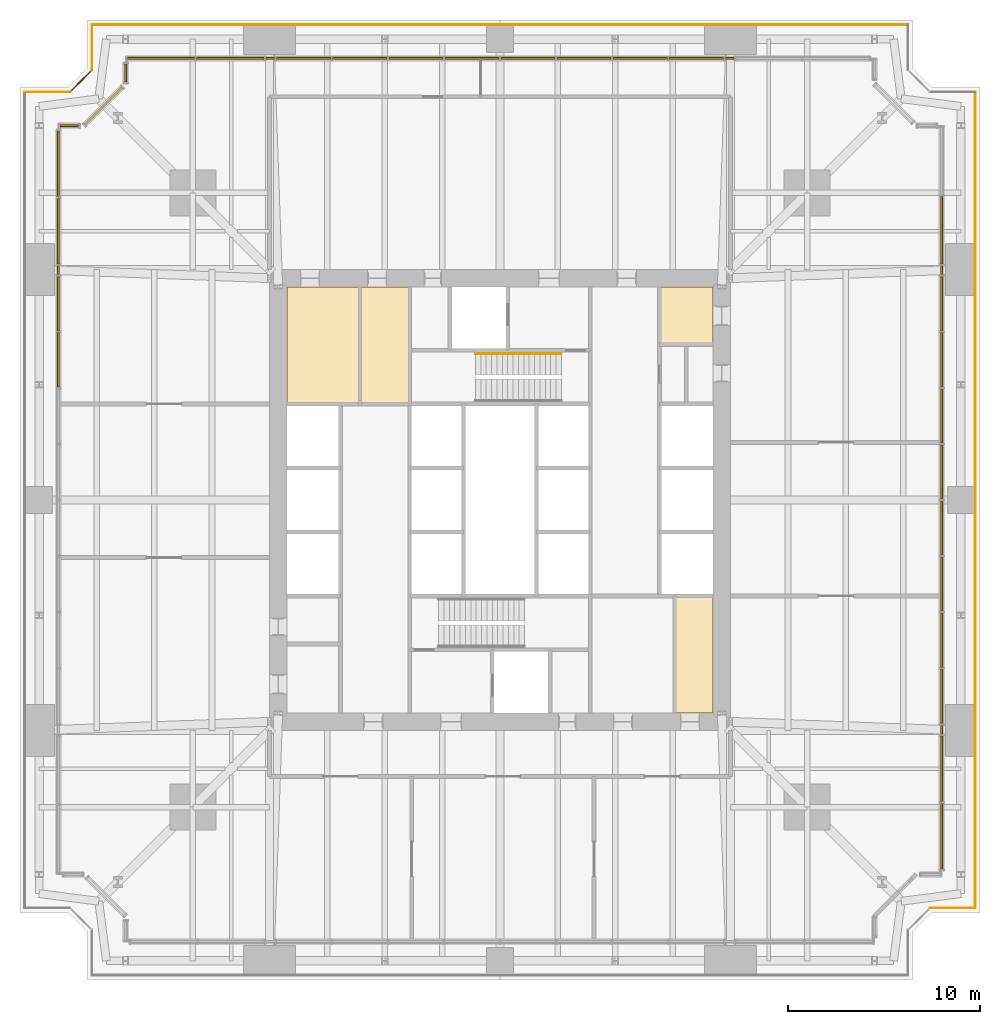
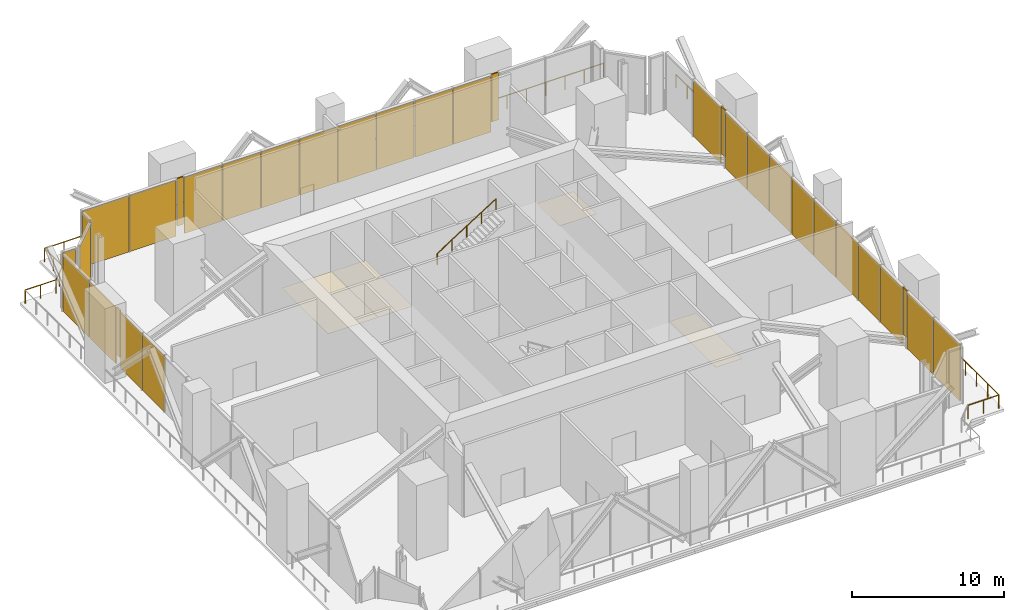
# One storey, part 12 of 13: 33 shading devices, 7 railings, 4 coverings, 10 elements without a shape of their own.
"""IFC4 building model written with IfcOpenShell, lengths in metres."""

from ifc_helpers import new_model, si_unit, direction, frame, origin, origin_2d, place, context, subcontext, project, spatial, polyline, rectangle, circle, outline, extrude, material, layer, layer_set, type_object, element, aggregate, save


model = new_model("IFC4")

# Units and contexts
model_context = context("Model", 3, precision=1e-05, world=origin(), true_north=direction((0.0, 1.0)))
body_context = subcontext(model_context, "Body", "Model", "MODEL_VIEW")
ifc_project = project(units=[si_unit("LENGTHUNIT", "METRE"), si_unit("AREAUNIT", "SQUARE_METRE"), si_unit("VOLUMEUNIT", "CUBIC_METRE"), si_unit("PLANEANGLEUNIT", "RADIAN"), si_unit("MASSUNIT", "GRAM", prefix="KILO")], contexts=[model_context])

# Site, building, storey
site_placement = place(None, origin())
site = spatial("IfcSite", under=ifc_project, at=site_placement, CompositionType="ELEMENT")
building_placement = place(site_placement, origin())
building = spatial("IfcBuilding", under=site, at=building_placement, Name="Fenwick Lantern Interchange", CompositionType="ELEMENT")
storey_placement = place(building_placement, frame((0.0, 0.0, 91.0)))
storey = spatial("IfcBuildingStorey", under=building, at=storey_placement, Name="L21", CompositionType="ELEMENT", Elevation=91.0)

# Railings
ifc_material_1 = material(Name="Stainless steel handrail", Category="steel")
railing_type_1 = type_object("IfcRailingType", Name="HANDRAIL 900", PredefinedType="HANDRAIL", material=ifc_material_1)
railing_1_placement = place(storey_placement, frame((23.719970703125, 32.6259765625, 3.176513671875)))
element("IfcRailing", 1, at=railing_1_placement, inside=storey, type_object=railing_type_1, Name="L21/STAIR/ST2/HR2", PredefinedType="HANDRAIL", context=body_context, shape_type="SweptSolid", body=[
    extrude(circle(Radius=0.02392578125, at=origin_2d()), frame((0.0, 0.0, 0.8759765625), z_axis=(0.845997938375, 0.0, 0.533186166611), x_axis=(0.0, 1.0, 0.0)), (0.0, 0.0, 1.0), 5.29541015625),
    extrude(circle(Radius=0.02099609375, at=origin_2d()), origin(), (0.0, 0.0, 1.0), 0.851806640625),
    extrude(circle(Radius=0.02099609375, at=origin_2d()), frame((1.1201171875, 0.0, 0.705810546875)), (0.0, 0.0, 1.0), 0.851806640625),
    extrude(circle(Radius=0.02099609375, at=origin_2d()), frame((2.239990234375, 0.0, 1.41162109375)), (0.0, 0.0, 1.0), 0.851806640625),
    extrude(circle(Radius=0.02099609375, at=origin_2d()), frame((3.35986328125, 0.0, 2.11767578125)), (0.0, 0.0, 1.0), 0.851806640625),
    extrude(circle(Radius=0.02099609375, at=origin_2d()), frame((4.47998046875, 0.0, 2.823486328125)), (0.0, 0.0, 1.0), 0.851806640625),
])
ifc_material_2 = material(Name="Galvanised steel guard", Category="steel")
railing_type_2 = type_object("IfcRailingType", Name="MAINTENANCE LEDGE GUARD 1100", PredefinedType="GUARDRAIL", material=ifc_material_2)
railing_2_placement = place(storey_placement, frame((47.396484375, 3.75, 0.0)))
element("IfcRailing", 2, at=railing_2_placement, inside=storey, type_object=railing_type_2, Name="L21/GR/LEDGE04", PredefinedType="GUARDRAIL", context=body_context, shape_type="SweptSolid", body=[
    extrude(circle(Radius=0.02392578125, at=origin_2d()), frame((0.0, 0.0, 1.076171875), z_axis=(1.0, 0.0, 0.0), x_axis=(0.0, 1.0, 0.0)), (0.0, 0.0, 1.0), 2.353515625),
    extrude(circle(Radius=0.02099609375, at=origin_2d()), origin(), (0.0, 0.0, 1.0), 1.052001953125),
    extrude(circle(Radius=0.02099609375, at=origin_2d()), frame((1.1767578125, 0.0, 0.0)), (0.0, 0.0, 1.0), 1.052001953125),
    extrude(circle(Radius=0.02099609375, at=origin_2d()), frame((2.353515625, 0.0, 0.0)), (0.0, 0.0, 1.0), 1.052001953125),
])
railing_3_placement = place(storey_placement, frame((49.75, 3.75, 0.0)))
element("IfcRailing", 3, at=railing_3_placement, inside=storey, type_object=railing_type_2, Name="L21/GR/LEDGE05", PredefinedType="GUARDRAIL", context=body_context, shape_type="SweptSolid", body=[
    extrude(circle(Radius=0.02392578125, at=origin_2d()), frame((0.0, 0.0, 1.076171875), z_axis=(0.0, 1.0, 0.0), x_axis=(-1.0, 0.0, 0.0)), (0.0, 0.0, 1.0), 42.5),
    extrude(circle(Radius=0.02099609375, at=origin_2d()), origin(), (0.0, 0.0, 1.0), 1.052001953125),
    extrude(circle(Radius=0.02099609375, at=origin_2d()), frame((0.0, 1.465576171875, 0.0)), (0.0, 0.0, 1.0), 1.052001953125),
    extrude(circle(Radius=0.02099609375, at=origin_2d()), frame((0.0, 2.93115234375, 0.0)), (0.0, 0.0, 1.0), 1.052001953125),
    extrude(circle(Radius=0.02099609375, at=origin_2d()), frame((0.0, 4.396484375, 0.0)), (0.0, 0.0, 1.0), 1.052001953125),
    extrude(circle(Radius=0.02099609375, at=origin_2d()), frame((0.0, 5.862060546875, 0.0)), (0.0, 0.0, 1.0), 1.052001953125),
    extrude(circle(Radius=0.02099609375, at=origin_2d()), frame((0.0, 7.32763671875, 0.0)), (0.0, 0.0, 1.0), 1.052001953125),
    extrude(circle(Radius=0.02099609375, at=origin_2d()), frame((0.0, 8.793212890625, 0.0)), (0.0, 0.0, 1.0), 1.052001953125),
    extrude(circle(Radius=0.02099609375, at=origin_2d()), frame((0.0, 10.258544921875, 0.0)), (0.0, 0.0, 1.0), 1.052001953125),
    extrude(circle(Radius=0.02099609375, at=origin_2d()), frame((0.0, 11.72412109375, 0.0)), (0.0, 0.0, 1.0), 1.052001953125),
    extrude(circle(Radius=0.02099609375, at=origin_2d()), frame((0.0, 13.189697265625, 0.0)), (0.0, 0.0, 1.0), 1.052001953125),
    extrude(circle(Radius=0.02099609375, at=origin_2d()), frame((0.0, 14.6552734375, 0.0)), (0.0, 0.0, 1.0), 1.052001953125),
    extrude(circle(Radius=0.02099609375, at=origin_2d()), frame((0.0, 16.12060546875, 0.0)), (0.0, 0.0, 1.0), 1.052001953125),
    extrude(circle(Radius=0.02099609375, at=origin_2d()), frame((0.0, 17.586181640625, 0.0)), (0.0, 0.0, 1.0), 1.052001953125),
    extrude(circle(Radius=0.02099609375, at=origin_2d()), frame((0.0, 19.0517578125, 0.0)), (0.0, 0.0, 1.0), 1.052001953125),
    extrude(circle(Radius=0.02099609375, at=origin_2d()), frame((0.0, 20.517333984375, 0.0)), (0.0, 0.0, 1.0), 1.052001953125),
    extrude(circle(Radius=0.02099609375, at=origin_2d()), frame((0.0, 21.982666015625, 0.0)), (0.0, 0.0, 1.0), 1.052001953125),
    extrude(circle(Radius=0.02099609375, at=origin_2d()), frame((0.0, 23.4482421875, 0.0)), (0.0, 0.0, 1.0), 1.052001953125),
    extrude(circle(Radius=0.02099609375, at=origin_2d()), frame((0.0, 24.913818359375, 0.0)), (0.0, 0.0, 1.0), 1.052001953125),
    extrude(circle(Radius=0.02099609375, at=origin_2d()), frame((0.0, 26.37939453125, 0.0)), (0.0, 0.0, 1.0), 1.052001953125),
    extrude(circle(Radius=0.02099609375, at=origin_2d()), frame((0.0, 27.8447265625, 0.0)), (0.0, 0.0, 1.0), 1.052001953125),
    extrude(circle(Radius=0.02099609375, at=origin_2d()), frame((0.0, 29.310302734375, 0.0)), (0.0, 0.0, 1.0), 1.052001953125),
    extrude(circle(Radius=0.02099609375, at=origin_2d()), frame((0.0, 30.77587890625, 0.0)), (0.0, 0.0, 1.0), 1.052001953125),
    extrude(circle(Radius=0.02099609375, at=origin_2d()), frame((0.0, 32.241455078125, 0.0)), (0.0, 0.0, 1.0), 1.052001953125),
    extrude(circle(Radius=0.02099609375, at=origin_2d()), frame((0.0, 33.706787109375, 0.0)), (0.0, 0.0, 1.0), 1.052001953125),
    extrude(circle(Radius=0.02099609375, at=origin_2d()), frame((0.0, 35.17236328125, 0.0)), (0.0, 0.0, 1.0), 1.052001953125),
    extrude(circle(Radius=0.02099609375, at=origin_2d()), frame((0.0, 36.637939453125, 0.0)), (0.0, 0.0, 1.0), 1.052001953125),
    extrude(circle(Radius=0.02099609375, at=origin_2d()), frame((0.0, 38.103515625, 0.0)), (0.0, 0.0, 1.0), 1.052001953125),
    extrude(circle(Radius=0.02099609375, at=origin_2d()), frame((0.0, 39.56884765625, 0.0)), (0.0, 0.0, 1.0), 1.052001953125),
    extrude(circle(Radius=0.02099609375, at=origin_2d()), frame((0.0, 41.034423828125, 0.0)), (0.0, 0.0, 1.0), 1.052001953125),
    extrude(circle(Radius=0.02099609375, at=origin_2d()), frame((0.0, 42.5, 0.0)), (0.0, 0.0, 1.0), 1.052001953125),
])
railing_4_placement = place(storey_placement, frame((46.25, 49.75, 0.0)))
element("IfcRailing", 4, at=railing_4_placement, inside=storey, type_object=railing_type_2, Name="L21/GR/LEDGE09", PredefinedType="GUARDRAIL", context=body_context, shape_type="SweptSolid", body=[
    extrude(circle(Radius=0.02392578125, at=origin_2d()), frame((0.0, 0.0, 1.076171875), z_axis=(-1.0, 0.0, 0.0), x_axis=(0.0, -1.0, 0.0)), (0.0, 0.0, 1.0), 42.5),
    extrude(circle(Radius=0.02099609375, at=origin_2d()), origin(), (0.0, 0.0, 1.0), 1.052001953125),
    extrude(circle(Radius=0.02099609375, at=origin_2d()), frame((-1.465576171875, 0.0, 0.0)), (0.0, 0.0, 1.0), 1.052001953125),
    extrude(circle(Radius=0.02099609375, at=origin_2d()), frame((-2.93115234375, 0.0, 0.0)), (0.0, 0.0, 1.0), 1.052001953125),
    extrude(circle(Radius=0.02099609375, at=origin_2d()), frame((-4.396484375, 0.0, 0.0)), (0.0, 0.0, 1.0), 1.052001953125),
    extrude(circle(Radius=0.02099609375, at=origin_2d()), frame((-5.862060546875, 0.0, 0.0)), (0.0, 0.0, 1.0), 1.052001953125),
    extrude(circle(Radius=0.02099609375, at=origin_2d()), frame((-7.32763671875, 0.0, 0.0)), (0.0, 0.0, 1.0), 1.052001953125),
    extrude(circle(Radius=0.02099609375, at=origin_2d()), frame((-8.793212890625, 0.0, 0.0)), (0.0, 0.0, 1.0), 1.052001953125),
    extrude(circle(Radius=0.02099609375, at=origin_2d()), frame((-10.258544921875, 0.0, 0.0)), (0.0, 0.0, 1.0), 1.052001953125),
    extrude(circle(Radius=0.02099609375, at=origin_2d()), frame((-11.72412109375, 0.0, 0.0)), (0.0, 0.0, 1.0), 1.052001953125),
    extrude(circle(Radius=0.02099609375, at=origin_2d()), frame((-13.189697265625, 0.0, 0.0)), (0.0, 0.0, 1.0), 1.052001953125),
    extrude(circle(Radius=0.02099609375, at=origin_2d()), frame((-14.6552734375, 0.0, 0.0)), (0.0, 0.0, 1.0), 1.052001953125),
    extrude(circle(Radius=0.02099609375, at=origin_2d()), frame((-16.12060546875, 0.0, 0.0)), (0.0, 0.0, 1.0), 1.052001953125),
    extrude(circle(Radius=0.02099609375, at=origin_2d()), frame((-17.586181640625, 0.0, 0.0)), (0.0, 0.0, 1.0), 1.052001953125),
    extrude(circle(Radius=0.02099609375, at=origin_2d()), frame((-19.0517578125, 0.0, 0.0)), (0.0, 0.0, 1.0), 1.052001953125),
    extrude(circle(Radius=0.02099609375, at=origin_2d()), frame((-20.517333984375, 0.0, 0.0)), (0.0, 0.0, 1.0), 1.052001953125),
    extrude(circle(Radius=0.02099609375, at=origin_2d()), frame((-21.982666015625, 0.0, 0.0)), (0.0, 0.0, 1.0), 1.052001953125),
    extrude(circle(Radius=0.02099609375, at=origin_2d()), frame((-23.4482421875, 0.0, 0.0)), (0.0, 0.0, 1.0), 1.052001953125),
    extrude(circle(Radius=0.02099609375, at=origin_2d()), frame((-24.913818359375, 0.0, 0.0)), (0.0, 0.0, 1.0), 1.052001953125),
    extrude(circle(Radius=0.02099609375, at=origin_2d()), frame((-26.37939453125, 0.0, 0.0)), (0.0, 0.0, 1.0), 1.052001953125),
    extrude(circle(Radius=0.02099609375, at=origin_2d()), frame((-27.8447265625, 0.0, 0.0)), (0.0, 0.0, 1.0), 1.052001953125),
    extrude(circle(Radius=0.02099609375, at=origin_2d()), frame((-29.310302734375, 0.0, 0.0)), (0.0, 0.0, 1.0), 1.052001953125),
    extrude(circle(Radius=0.02099609375, at=origin_2d()), frame((-30.77587890625, 0.0, 0.0)), (0.0, 0.0, 1.0), 1.052001953125),
    extrude(circle(Radius=0.02099609375, at=origin_2d()), frame((-32.241455078125, 0.0, 0.0)), (0.0, 0.0, 1.0), 1.052001953125),
    extrude(circle(Radius=0.02099609375, at=origin_2d()), frame((-33.706787109375, 0.0, 0.0)), (0.0, 0.0, 1.0), 1.052001953125),
    extrude(circle(Radius=0.02099609375, at=origin_2d()), frame((-35.17236328125, 0.0, 0.0)), (0.0, 0.0, 1.0), 1.052001953125),
    extrude(circle(Radius=0.02099609375, at=origin_2d()), frame((-36.637939453125, 0.0, 0.0)), (0.0, 0.0, 1.0), 1.052001953125),
    extrude(circle(Radius=0.02099609375, at=origin_2d()), frame((-38.103515625, 0.0, 0.0)), (0.0, 0.0, 1.0), 1.052001953125),
    extrude(circle(Radius=0.02099609375, at=origin_2d()), frame((-39.56884765625, 0.0, 0.0)), (0.0, 0.0, 1.0), 1.052001953125),
    extrude(circle(Radius=0.02099609375, at=origin_2d()), frame((-41.034423828125, 0.0, 0.0)), (0.0, 0.0, 1.0), 1.052001953125),
    extrude(circle(Radius=0.02099609375, at=origin_2d()), frame((-42.5, 0.0, 0.0)), (0.0, 0.0, 1.0), 1.052001953125),
])
railing_5_placement = place(storey_placement, frame((3.75, 49.75, 0.0)))
element("IfcRailing", 5, at=railing_5_placement, inside=storey, type_object=railing_type_2, Name="L21/GR/LEDGE10", PredefinedType="GUARDRAIL", context=body_context, shape_type="SweptSolid", body=[
    extrude(circle(Radius=0.02392578125, at=origin_2d()), frame((0.0, 0.0, 1.076171875), z_axis=(0.0, -1.0, 0.0), x_axis=(1.0, 0.0, 0.0)), (0.0, 0.0, 1.0), 2.353515625),
    extrude(circle(Radius=0.02099609375, at=origin_2d()), origin(), (0.0, 0.0, 1.0), 1.052001953125),
    extrude(circle(Radius=0.02099609375, at=origin_2d()), frame((0.0, -1.1767578125, 0.0)), (0.0, 0.0, 1.0), 1.052001953125),
    extrude(circle(Radius=0.02099609375, at=origin_2d()), frame((0.0, -2.353515625, 0.0)), (0.0, 0.0, 1.0), 1.052001953125),
])
railing_6_placement = place(storey_placement, frame((3.75, 47.396484375, 0.0)))
element("IfcRailing", 6, at=railing_6_placement, inside=storey, type_object=railing_type_2, Name="L21/GR/LEDGE11", PredefinedType="GUARDRAIL", context=body_context, shape_type="SweptSolid", body=[
    extrude(circle(Radius=0.02392578125, at=origin_2d()), frame((0.0, 0.0, 1.076171875), z_axis=(-0.707106781187, -0.707106781187, 0.0), x_axis=(0.707106781187, -0.707106781187, 0.0)), (0.0, 0.0, 1.0), 1.621337890625),
    extrude(circle(Radius=0.02099609375, at=origin_2d()), origin(), (0.0, 0.0, 1.0), 1.052001953125),
    extrude(circle(Radius=0.02099609375, at=origin_2d()), frame((-0.5732421875, -0.5732421875, 0.0)), (0.0, 0.0, 1.0), 1.052001953125),
    extrude(circle(Radius=0.02099609375, at=origin_2d()), frame((-1.146484375, -1.146484375, 0.0)), (0.0, 0.0, 1.0), 1.052001953125),
])
railing_7_placement = place(storey_placement, frame((2.603515625, 46.25, 0.0)))
element("IfcRailing", 7, at=railing_7_placement, inside=storey, type_object=railing_type_2, Name="L21/GR/LEDGE12", PredefinedType="GUARDRAIL", context=body_context, shape_type="SweptSolid", body=[
    extrude(circle(Radius=0.02392578125, at=origin_2d()), frame((0.0, 0.0, 1.076171875), z_axis=(-1.0, 0.0, 0.0), x_axis=(0.0, -1.0, 0.0)), (0.0, 0.0, 1.0), 2.353515625),
    extrude(circle(Radius=0.02099609375, at=origin_2d()), origin(), (0.0, 0.0, 1.0), 1.052001953125),
    extrude(circle(Radius=0.02099609375, at=origin_2d()), frame((-1.1767578125, 0.0, 0.0)), (0.0, 0.0, 1.0), 1.052001953125),
    extrude(circle(Radius=0.02099609375, at=origin_2d()), frame((-2.353515625, 0.0, 0.0)), (0.0, 0.0, 1.0), 1.052001953125),
])

# Coverings
ifc_material_3 = material(Name="Moisture resistant gypsum board on suspended frame, painted")
ifc_layer_1 = layer(ifc_material_3, 0.014892578125)
ifc_layer_set_1 = layer_set([ifc_layer_1], Name="MOISTURE RESISTANT CEILING 15")
covering_type = type_object("IfcCoveringType", Name="MOISTURE RESISTANT CEILING 15", PredefinedType="CEILING", material=ifc_layer_set_1)
covering_1_placement = place(storey_placement, frame((0.0, 0.0, 2.60009765625)))
element("IfcCovering", 8, at=covering_1_placement, inside=storey, type_object=covering_type, Name="Men's WC ceiling", PredefinedType="CEILING", context=body_context, shape_type="SweptSolid", body=[
    extrude(outline(polyline([(34.10009765625, 13.89990234375), (36.10009765625, 13.89990234375), (36.10009765625, 20.0), (34.10009765625, 20.0), (34.10009765625, 13.89990234375)])), origin(), (0.0, 0.0, 1.0), 0.014892578125),
])
covering_2_placement = place(storey_placement, frame((0.0, 0.0, 2.60009765625)))
element("IfcCovering", 9, at=covering_2_placement, inside=storey, type_object=covering_type, Name="Men's WC ceiling", PredefinedType="CEILING", context=body_context, shape_type="SweptSolid", body=[
    extrude(outline(polyline([(20.300048828125, 36.10009765625), (17.699951171875, 36.10009765625), (17.699951171875, 30.0), (20.300048828125, 30.0), (20.300048828125, 36.10009765625)])), origin(), (0.0, 0.0, 1.0), 0.014892578125),
])
covering_3_placement = place(storey_placement, frame((0.0, 0.0, 2.60009765625)))
element("IfcCovering", 10, at=covering_3_placement, inside=storey, type_object=covering_type, Name="Women's WC ceiling", PredefinedType="CEILING", context=body_context, shape_type="SweptSolid", body=[
    extrude(outline(polyline([(17.699951171875, 36.10009765625), (13.89990234375, 36.10009765625), (13.89990234375, 30.0), (17.699951171875, 30.0), (17.699951171875, 36.10009765625)])), origin(), (0.0, 0.0, 1.0), 0.014892578125),
])
covering_4_placement = place(storey_placement, frame((0.0, 0.0, 2.60009765625)))
element("IfcCovering", 11, at=covering_4_placement, inside=storey, type_object=covering_type, Name="Accessible WC ceiling", PredefinedType="CEILING", context=body_context, shape_type="SweptSolid", body=[
    extrude(outline(polyline([(36.10009765625, 36.10009765625), (33.300048828125, 36.10009765625), (33.300048828125, 33.10009765625), (36.10009765625, 33.10009765625), (36.10009765625, 36.10009765625)])), origin(), (0.0, 0.0, 1.0), 0.014892578125),
])

# Curtain wall, shading devices
ifc_material_4 = material(Name="Aluminium curtain wall frame", Category="aluminium")
curtain_wall_type = type_object("IfcCurtainWallType", Name="PLANT LOUVRE SCREEN", PredefinedType="USERDEFINED", material=ifc_material_4)
curtain_wall_1_placement = place(storey_placement, origin())
curtain_wall_1 = element("IfcCurtainWall", 12, at=curtain_wall_1_placement, inside=storey, type_object=curtain_wall_type, Name="Plant louvre screen 04A", ObjectType="PLANT LOUVRE SCREEN", PredefinedType="USERDEFINED")
ifc_material_5 = material(Name="Louvre panel, anodised aluminium blades", Category="aluminium")
ifc_layer_2 = layer(ifc_material_5, 0.10009765625)
ifc_layer_set_2 = layer_set([ifc_layer_2], Name="PLANT LOUVRE SCREEN PANEL 100")
shading_device_type = type_object("IfcShadingDeviceType", Name="PLANT LOUVRE SCREEN PANEL 100", PredefinedType="SHUTTER", material=ifc_layer_set_2)
shading_device_1_placement = place(storey_placement, frame((48.0, 7.49267578125, 0.0), z_axis=(0.0, 0.0, 1.0), x_axis=(0.0, 1.0, 0.0)))
shading_device_1 = element("IfcShadingDevice", 13, at=shading_device_1_placement, type_object=shading_device_type, Name="L21/CW/04A/P00", PredefinedType="SHUTTER", context=body_context, shape_type="SweptSolid", body=[
    extrude(rectangle(XDim=3.43505859375, YDim=0.10009765625, at=origin_2d()), origin(), (0.0, 0.0, 1.0), 4.47998046875),
])
shading_device_2_placement = place(storey_placement, frame((48.0, 11.002685546875, 0.0), z_axis=(0.0, 0.0, 1.0), x_axis=(0.0, 1.0, 0.0)))
shading_device_2 = element("IfcShadingDevice", 14, at=shading_device_2_placement, type_object=shading_device_type, Name="L21/CW/04A/P01", PredefinedType="SHUTTER", context=body_context, shape_type="SweptSolid", body=[
    extrude(rectangle(XDim=3.43505859375, YDim=0.10009765625, at=origin_2d()), origin(), (0.0, 0.0, 1.0), 4.47998046875),
])
aggregate(curtain_wall_1, [shading_device_1, shading_device_2])

curtain_wall_2_placement = place(storey_placement, origin())
curtain_wall_2 = element("IfcCurtainWall", 15, at=curtain_wall_2_placement, inside=storey, type_object=curtain_wall_type, Name="Plant louvre screen 04B", ObjectType="PLANT LOUVRE SCREEN", PredefinedType="USERDEFINED")
shading_device_3_placement = place(storey_placement, frame((48.0, 14.777587890625, 0.0), z_axis=(0.0, 0.0, 1.0), x_axis=(0.0, 1.0, 0.0)))
shading_device_3 = element("IfcShadingDevice", 16, at=shading_device_3_placement, type_object=shading_device_type, Name="L21/CW/04B/P00", PredefinedType="SHUTTER", context=body_context, shape_type="SweptSolid", body=[
    extrude(rectangle(XDim=2.845703125, YDim=0.10009765625, at=origin_2d()), origin(), (0.0, 0.0, 1.0), 4.47998046875),
])
shading_device_4_placement = place(storey_placement, frame((48.0, 17.6982421875, 0.0), z_axis=(0.0, 0.0, 1.0), x_axis=(0.0, 1.0, 0.0)))
shading_device_4 = element("IfcShadingDevice", 17, at=shading_device_4_placement, type_object=shading_device_type, Name="L21/CW/04B/P01", PredefinedType="SHUTTER", context=body_context, shape_type="SweptSolid", body=[
    extrude(rectangle(XDim=2.845703125, YDim=0.10009765625, at=origin_2d()), origin(), (0.0, 0.0, 1.0), 4.47998046875),
])
shading_device_5_placement = place(storey_placement, frame((48.0, 20.618896484375, 0.0), z_axis=(0.0, 0.0, 1.0), x_axis=(0.0, 1.0, 0.0)))
shading_device_5 = element("IfcShadingDevice", 18, at=shading_device_5_placement, type_object=shading_device_type, Name="L21/CW/04B/P02", PredefinedType="SHUTTER", context=body_context, shape_type="SweptSolid", body=[
    extrude(rectangle(XDim=2.845703125, YDim=0.10009765625, at=origin_2d()), origin(), (0.0, 0.0, 1.0), 4.47998046875),
])
shading_device_6_placement = place(storey_placement, frame((48.0, 23.53955078125, 0.0), z_axis=(0.0, 0.0, 1.0), x_axis=(0.0, 1.0, 0.0)))
shading_device_6 = element("IfcShadingDevice", 19, at=shading_device_6_placement, type_object=shading_device_type, Name="L21/CW/04B/P03", PredefinedType="SHUTTER", context=body_context, shape_type="SweptSolid", body=[
    extrude(rectangle(XDim=2.845703125, YDim=0.10009765625, at=origin_2d()), origin(), (0.0, 0.0, 1.0), 4.47998046875),
])
shading_device_7_placement = place(storey_placement, frame((48.0, 26.46044921875, 0.0), z_axis=(0.0, 0.0, 1.0), x_axis=(0.0, 1.0, 0.0)))
shading_device_7 = element("IfcShadingDevice", 20, at=shading_device_7_placement, type_object=shading_device_type, Name="L21/CW/04B/P04", PredefinedType="SHUTTER", context=body_context, shape_type="SweptSolid", body=[
    extrude(rectangle(XDim=2.845703125, YDim=0.10009765625, at=origin_2d()), origin(), (0.0, 0.0, 1.0), 4.47998046875),
])
shading_device_8_placement = place(storey_placement, frame((48.0, 29.381103515625, 0.0), z_axis=(0.0, 0.0, 1.0), x_axis=(0.0, 1.0, 0.0)))
shading_device_8 = element("IfcShadingDevice", 21, at=shading_device_8_placement, type_object=shading_device_type, Name="L21/CW/04B/P05", PredefinedType="SHUTTER", context=body_context, shape_type="SweptSolid", body=[
    extrude(rectangle(XDim=2.845703125, YDim=0.10009765625, at=origin_2d()), origin(), (0.0, 0.0, 1.0), 4.47998046875),
])
shading_device_9_placement = place(storey_placement, frame((48.0, 32.3017578125, 0.0), z_axis=(0.0, 0.0, 1.0), x_axis=(0.0, 1.0, 0.0)))
shading_device_9 = element("IfcShadingDevice", 22, at=shading_device_9_placement, type_object=shading_device_type, Name="L21/CW/04B/P06", PredefinedType="SHUTTER", context=body_context, shape_type="SweptSolid", body=[
    extrude(rectangle(XDim=2.845703125, YDim=0.10009765625, at=origin_2d()), origin(), (0.0, 0.0, 1.0), 4.47998046875),
])
shading_device_10_placement = place(storey_placement, frame((48.0, 35.222412109375, 0.0), z_axis=(0.0, 0.0, 1.0), x_axis=(0.0, 1.0, 0.0)))
shading_device_10 = element("IfcShadingDevice", 23, at=shading_device_10_placement, type_object=shading_device_type, Name="L21/CW/04B/P07", PredefinedType="SHUTTER", context=body_context, shape_type="SweptSolid", body=[
    extrude(rectangle(XDim=2.845703125, YDim=0.10009765625, at=origin_2d()), origin(), (0.0, 0.0, 1.0), 4.47998046875),
])
aggregate(curtain_wall_2, [shading_device_3, shading_device_4, shading_device_5, shading_device_6, shading_device_7, shading_device_8, shading_device_9, shading_device_10])

# Curtain wall, shading device
curtain_wall_3_placement = place(storey_placement, origin())
curtain_wall_3 = element("IfcCurtainWall", 24, at=curtain_wall_3_placement, inside=storey, type_object=curtain_wall_type, Name="Plant louvre screen 04C", ObjectType="PLANT LOUVRE SCREEN", PredefinedType="USERDEFINED")
shading_device_11_placement = place(storey_placement, frame((48.0, 39.04736328125, 0.0), z_axis=(0.0, 0.0, 1.0), x_axis=(0.0, 1.0, 0.0)))
shading_device_11 = element("IfcShadingDevice", 25, at=shading_device_11_placement, type_object=shading_device_type, Name="L21/CW/04C/P00", PredefinedType="SHUTTER", context=body_context, shape_type="SweptSolid", body=[
    extrude(rectangle(XDim=3.53515625, YDim=0.10009765625, at=origin_2d()), origin(), (0.0, 0.0, 1.0), 4.47998046875),
])
aggregate(curtain_wall_3, [shading_device_11])

# Shading devices
for number, where, z_axis, x_axis, name in (
    (26, (48.0, 13.03759765625, 0.82421875), (0.0, 0.0, 1.0), (0.0, 1.0, 0.0), "Louvre screen infill 04-1"),
    (27, (48.0, 36.96240234375, 0.82421875), (0.0, 0.0, 1.0), (0.0, 1.0, 0.0), "Louvre screen infill 04-2"),
):
    element("IfcShadingDevice", number, at=place(storey_placement, frame(where, z_axis=z_axis, x_axis=x_axis)), inside=storey, type_object=shading_device_type, Name=name, PredefinedType="SHUTTER", context=body_context, shape_type="SweptSolid", body=[
        extrude(rectangle(XDim=0.484375, YDim=0.10009765625, at=origin_2d()), origin(), (0.0, 0.0, 1.0), 3.775634765625),
    ])

# Curtain wall, shading devices
curtain_wall_4_placement = place(storey_placement, origin())
curtain_wall_4 = element("IfcCurtainWall", 28, at=curtain_wall_4_placement, inside=storey, type_object=curtain_wall_type, Name="Plant louvre screen 08B", ObjectType="PLANT LOUVRE SCREEN", PredefinedType="USERDEFINED")
shading_device_12_placement = place(storey_placement, frame((35.22509765625, 48.0, 0.0), z_axis=(0.0, 0.0, 1.0), x_axis=(-1.0, 0.0, 0.0)))
shading_device_12 = element("IfcShadingDevice", 29, at=shading_device_12_placement, type_object=shading_device_type, Name="L21/CW/08B/P00", PredefinedType="SHUTTER", context=body_context, shape_type="SweptSolid", body=[
    extrude(rectangle(XDim=2.846435546875, YDim=0.10009765625, at=origin_2d()), origin(), (0.0, 0.0, 1.0), 4.47998046875),
])
shading_device_13_placement = place(storey_placement, frame((32.3037109375, 48.0, 0.0), z_axis=(0.0, 0.0, 1.0), x_axis=(-1.0, 0.0, 0.0)))
shading_device_13 = element("IfcShadingDevice", 30, at=shading_device_13_placement, type_object=shading_device_type, Name="L21/CW/08B/P01", PredefinedType="SHUTTER", context=body_context, shape_type="SweptSolid", body=[
    extrude(rectangle(XDim=2.846435546875, YDim=0.10009765625, at=origin_2d()), origin(), (0.0, 0.0, 1.0), 4.47998046875),
])
shading_device_14_placement = place(storey_placement, frame((29.382080078125, 48.0, 0.0), z_axis=(0.0, 0.0, 1.0), x_axis=(-1.0, 0.0, 0.0)))
shading_device_14 = element("IfcShadingDevice", 31, at=shading_device_14_placement, type_object=shading_device_type, Name="L21/CW/08B/P02", PredefinedType="SHUTTER", context=body_context, shape_type="SweptSolid", body=[
    extrude(rectangle(XDim=2.846435546875, YDim=0.10009765625, at=origin_2d()), origin(), (0.0, 0.0, 1.0), 4.47998046875),
])
shading_device_15_placement = place(storey_placement, frame((26.460693359375, 48.0, 0.0), z_axis=(0.0, 0.0, 1.0), x_axis=(-1.0, 0.0, 0.0)))
shading_device_15 = element("IfcShadingDevice", 32, at=shading_device_15_placement, type_object=shading_device_type, Name="L21/CW/08B/P03", PredefinedType="SHUTTER", context=body_context, shape_type="SweptSolid", body=[
    extrude(rectangle(XDim=2.846435546875, YDim=0.10009765625, at=origin_2d()), origin(), (0.0, 0.0, 1.0), 4.47998046875),
])
shading_device_16_placement = place(storey_placement, frame((23.539306640625, 48.0, 0.0), z_axis=(0.0, 0.0, 1.0), x_axis=(-1.0, 0.0, 0.0)))
shading_device_16 = element("IfcShadingDevice", 33, at=shading_device_16_placement, type_object=shading_device_type, Name="L21/CW/08B/P04", PredefinedType="SHUTTER", context=body_context, shape_type="SweptSolid", body=[
    extrude(rectangle(XDim=2.846435546875, YDim=0.10009765625, at=origin_2d()), origin(), (0.0, 0.0, 1.0), 4.47998046875),
])
shading_device_17_placement = place(storey_placement, frame((20.617919921875, 48.0, 0.0), z_axis=(0.0, 0.0, 1.0), x_axis=(-1.0, 0.0, 0.0)))
shading_device_17 = element("IfcShadingDevice", 34, at=shading_device_17_placement, type_object=shading_device_type, Name="L21/CW/08B/P05", PredefinedType="SHUTTER", context=body_context, shape_type="SweptSolid", body=[
    extrude(rectangle(XDim=2.846435546875, YDim=0.10009765625, at=origin_2d()), origin(), (0.0, 0.0, 1.0), 4.47998046875),
])
shading_device_18_placement = place(storey_placement, frame((17.6962890625, 48.0, 0.0), z_axis=(0.0, 0.0, 1.0), x_axis=(-1.0, 0.0, 0.0)))
shading_device_18 = element("IfcShadingDevice", 35, at=shading_device_18_placement, type_object=shading_device_type, Name="L21/CW/08B/P06", PredefinedType="SHUTTER", context=body_context, shape_type="SweptSolid", body=[
    extrude(rectangle(XDim=2.846435546875, YDim=0.10009765625, at=origin_2d()), origin(), (0.0, 0.0, 1.0), 4.47998046875),
])
shading_device_19_placement = place(storey_placement, frame((14.77490234375, 48.0, 0.0), z_axis=(0.0, 0.0, 1.0), x_axis=(-1.0, 0.0, 0.0)))
shading_device_19 = element("IfcShadingDevice", 36, at=shading_device_19_placement, type_object=shading_device_type, Name="L21/CW/08B/P07", PredefinedType="SHUTTER", context=body_context, shape_type="SweptSolid", body=[
    extrude(rectangle(XDim=2.846435546875, YDim=0.10009765625, at=origin_2d()), origin(), (0.0, 0.0, 1.0), 4.47998046875),
])
aggregate(curtain_wall_4, [shading_device_12, shading_device_13, shading_device_14, shading_device_15, shading_device_16, shading_device_17, shading_device_18, shading_device_19])

curtain_wall_5_placement = place(storey_placement, origin())
curtain_wall_5 = element("IfcCurtainWall", 37, at=curtain_wall_5_placement, inside=storey, type_object=curtain_wall_type, Name="Plant louvre screen 08C", ObjectType="PLANT LOUVRE SCREEN", PredefinedType="USERDEFINED")
shading_device_20_placement = place(storey_placement, frame((10.950927734375, 48.0, 0.0), z_axis=(0.0, 0.0, 1.0), x_axis=(-1.0, 0.0, 0.0)))
shading_device_20 = element("IfcShadingDevice", 38, at=shading_device_20_placement, type_object=shading_device_type, Name="L21/CW/08C/P00", PredefinedType="SHUTTER", context=body_context, shape_type="SweptSolid", body=[
    extrude(rectangle(XDim=3.533935546875, YDim=0.10009765625, at=origin_2d()), origin(), (0.0, 0.0, 1.0), 4.47998046875),
])
shading_device_21_placement = place(storey_placement, frame((7.342041015625, 48.0, 0.0), z_axis=(0.0, 0.0, 1.0), x_axis=(-1.0, 0.0, 0.0)))
shading_device_21 = element("IfcShadingDevice", 39, at=shading_device_21_placement, type_object=shading_device_type, Name="L21/CW/08C/P01", PredefinedType="SHUTTER", context=body_context, shape_type="SweptSolid", body=[
    extrude(rectangle(XDim=3.533935546875, YDim=0.10009765625, at=origin_2d()), origin(), (0.0, 0.0, 1.0), 4.47998046875),
])
aggregate(curtain_wall_5, [shading_device_20, shading_device_21])

# Shading devices
for number, where, z_axis, x_axis, name in (
    (40, (36.965087890625, 48.0, 0.78564453125), (0.0, 0.0, 1.0), (-1.0, 0.0, 0.0), "Louvre screen infill 08-1"),
    (41, (13.034912109375, 48.0, 0.78564453125), (0.0, 0.0, 1.0), (-1.0, 0.0, 0.0), "Louvre screen infill 08-2"),
):
    element("IfcShadingDevice", number, at=place(storey_placement, frame(where, z_axis=z_axis, x_axis=x_axis)), inside=storey, type_object=shading_device_type, Name=name, PredefinedType="SHUTTER", context=body_context, shape_type="SweptSolid", body=[
        extrude(rectangle(XDim=0.483642578125, YDim=0.10009765625, at=origin_2d()), origin(), (0.0, 0.0, 1.0), 3.814453125),
    ])

# Curtain wall, shading device
curtain_wall_6_placement = place(storey_placement, origin())
curtain_wall_6 = element("IfcCurtainWall", 42, at=curtain_wall_6_placement, inside=storey, type_object=curtain_wall_type, Name="Plant louvre screen 09", ObjectType="PLANT LOUVRE SCREEN", PredefinedType="USERDEFINED")
shading_device_22_placement = place(storey_placement, frame((5.5, 47.23583984375, 0.0), z_axis=(0.0, 0.0, 1.0), x_axis=(0.0, -1.0, 0.0)))
shading_device_22 = element("IfcShadingDevice", 43, at=shading_device_22_placement, type_object=shading_device_type, Name="L21/CW/09/P00", PredefinedType="SHUTTER", context=body_context, shape_type="SweptSolid", body=[
    extrude(rectangle(XDim=0.978515625, YDim=0.10009765625, at=origin_2d()), origin(), (0.0, 0.0, 1.0), 4.47998046875),
])
aggregate(curtain_wall_6, [shading_device_22])

curtain_wall_7_placement = place(storey_placement, origin())
curtain_wall_7 = element("IfcCurtainWall", 44, at=curtain_wall_7_placement, inside=storey, type_object=curtain_wall_type, Name="Plant louvre screen 10", ObjectType="PLANT LOUVRE SCREEN", PredefinedType="USERDEFINED")
shading_device_23_placement = place(storey_placement, frame((4.343505859375, 45.51513671875, 0.0), z_axis=(0.0, 0.0, 1.0), x_axis=(-0.707106781187, -0.707106781187, 0.0)))
shading_device_23 = element("IfcShadingDevice", 45, at=shading_device_23_placement, type_object=shading_device_type, Name="L21/CW/10/P00", PredefinedType="SHUTTER", context=body_context, shape_type="SweptSolid", body=[
    extrude(rectangle(XDim=2.720947265625, YDim=0.10009765625, at=origin_2d()), origin(), (0.0, 0.0, 1.0), 4.47998046875),
])
aggregate(curtain_wall_7, [shading_device_23])

curtain_wall_8_placement = place(storey_placement, origin())
curtain_wall_8 = element("IfcCurtainWall", 46, at=curtain_wall_8_placement, inside=storey, type_object=curtain_wall_type, Name="Plant louvre screen 11", ObjectType="PLANT LOUVRE SCREEN", PredefinedType="USERDEFINED")
shading_device_24_placement = place(storey_placement, frame((2.564208984375, 44.5, 0.0), z_axis=(0.0, 0.0, 1.0), x_axis=(-1.0, 0.0, 0.0)))
shading_device_24 = element("IfcShadingDevice", 47, at=shading_device_24_placement, type_object=shading_device_type, Name="L21/CW/11/P00", PredefinedType="SHUTTER", context=body_context, shape_type="SweptSolid", body=[
    extrude(rectangle(XDim=0.978515625, YDim=0.10009765625, at=origin_2d()), origin(), (0.0, 0.0, 1.0), 4.47998046875),
])
aggregate(curtain_wall_8, [shading_device_24])

# Curtain wall, shading devices
curtain_wall_9_placement = place(storey_placement, origin())
curtain_wall_9 = element("IfcCurtainWall", 48, at=curtain_wall_9_placement, inside=storey, type_object=curtain_wall_type, Name="Plant louvre screen 12A", ObjectType="PLANT LOUVRE SCREEN", PredefinedType="USERDEFINED")
shading_device_25_placement = place(storey_placement, frame((2.0, 42.50732421875, 0.0), z_axis=(0.0, 0.0, 1.0), x_axis=(0.0, -1.0, 0.0)))
shading_device_25 = element("IfcShadingDevice", 49, at=shading_device_25_placement, type_object=shading_device_type, Name="L21/CW/12A/P00", PredefinedType="SHUTTER", context=body_context, shape_type="SweptSolid", body=[
    extrude(rectangle(XDim=3.43505859375, YDim=0.10009765625, at=origin_2d()), origin(), (0.0, 0.0, 1.0), 4.47998046875),
])
shading_device_26_placement = place(storey_placement, frame((2.0, 38.997314453125, 0.0), z_axis=(0.0, 0.0, 1.0), x_axis=(0.0, -1.0, 0.0)))
shading_device_26 = element("IfcShadingDevice", 50, at=shading_device_26_placement, type_object=shading_device_type, Name="L21/CW/12A/P01", PredefinedType="SHUTTER", context=body_context, shape_type="SweptSolid", body=[
    extrude(rectangle(XDim=3.43505859375, YDim=0.10009765625, at=origin_2d()), origin(), (0.0, 0.0, 1.0), 4.47998046875),
])
aggregate(curtain_wall_9, [shading_device_25, shading_device_26])

curtain_wall_10_placement = place(storey_placement, origin())
curtain_wall_10 = element("IfcCurtainWall", 51, at=curtain_wall_10_placement, inside=storey, type_object=curtain_wall_type, Name="Plant louvre screen 12B", ObjectType="PLANT LOUVRE SCREEN", PredefinedType="USERDEFINED")
shading_device_27_placement = place(storey_placement, frame((2.0, 35.222412109375, 0.0), z_axis=(0.0, 0.0, 1.0), x_axis=(0.0, -1.0, 0.0)))
shading_device_27 = element("IfcShadingDevice", 52, at=shading_device_27_placement, type_object=shading_device_type, Name="L21/CW/12B/P00", PredefinedType="SHUTTER", context=body_context, shape_type="SweptSolid", body=[
    extrude(rectangle(XDim=2.845703125, YDim=0.10009765625, at=origin_2d()), origin(), (0.0, 0.0, 1.0), 4.47998046875),
])
shading_device_28_placement = place(storey_placement, frame((2.0, 32.3017578125, 0.0), z_axis=(0.0, 0.0, 1.0), x_axis=(0.0, -1.0, 0.0)))
shading_device_28 = element("IfcShadingDevice", 53, at=shading_device_28_placement, type_object=shading_device_type, Name="L21/CW/12B/P01", PredefinedType="SHUTTER", context=body_context, shape_type="SweptSolid", body=[
    extrude(rectangle(XDim=2.845703125, YDim=0.10009765625, at=origin_2d()), origin(), (0.0, 0.0, 1.0), 4.47998046875),
])
aggregate(curtain_wall_10, [shading_device_27, shading_device_28])

# Shading device
shading_device_29_placement = place(storey_placement, frame((2.0, 36.96240234375, 0.82421875), z_axis=(0.0, 0.0, 1.0), x_axis=(0.0, -1.0, 0.0)))
element("IfcShadingDevice", 54, at=shading_device_29_placement, inside=storey, type_object=shading_device_type, Name="Louvre screen infill 12-1", PredefinedType="SHUTTER", context=body_context, shape_type="SweptSolid", body=[
    extrude(rectangle(XDim=0.484375, YDim=0.10009765625, at=origin_2d()), origin(), (0.0, 0.0, 1.0), 3.775634765625),
])

save(model, "model.ifc")
